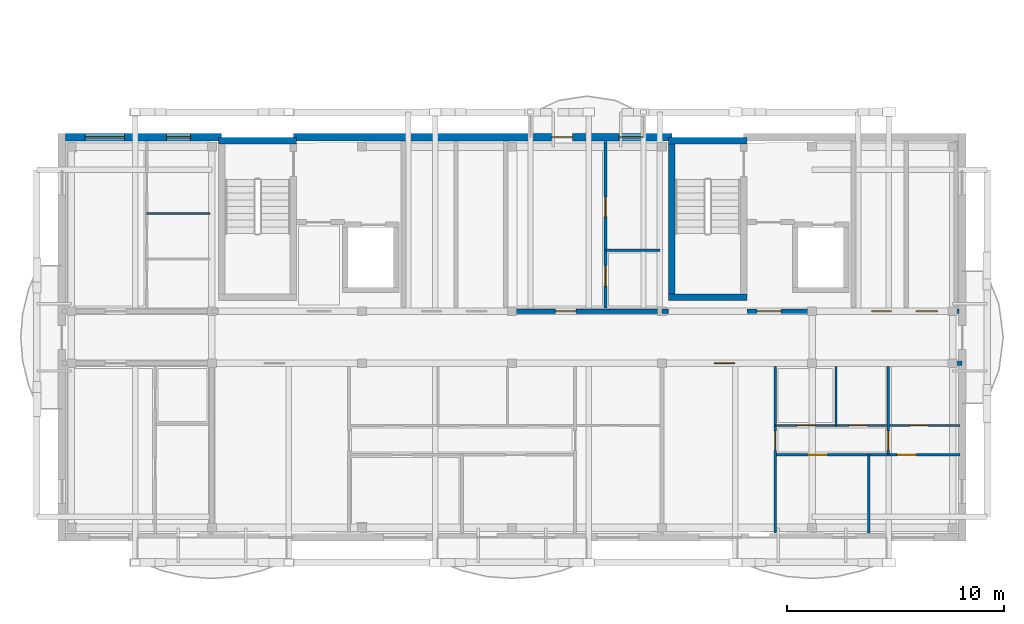
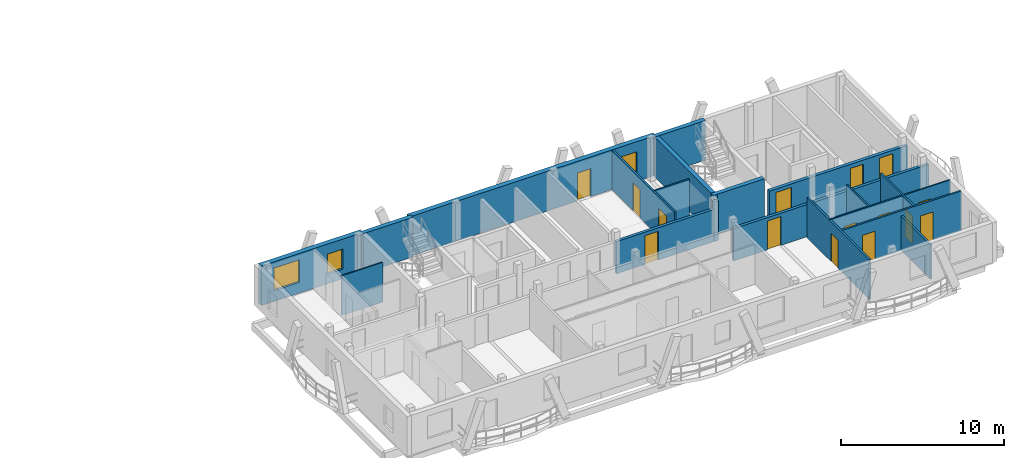
# One storey, part 6 of 10: 19 walls, 15 doors, 3 windows, 18 openings.
"""IFC4 building model written with IfcOpenShell, lengths in metres."""

from ifc_helpers import new_model, si_unit, direction, frame, frame_2d, origin, origin_with_axes, place, context, subcontext, project, spatial, rectangle, extrude, material, layer, layer_set, type_object, element, fill, save


model = new_model("IFC4")

# Units and contexts
model_context = context("Model", 3, precision=1e-05, world=origin(), true_north=direction((0.0, 1.0)))
body_context = subcontext(model_context, "Body", "Model", "MODEL_VIEW")
ifc_project = project(units=[si_unit("LENGTHUNIT", "METRE"), si_unit("AREAUNIT", "SQUARE_METRE"), si_unit("VOLUMEUNIT", "CUBIC_METRE"), si_unit("PLANEANGLEUNIT", "RADIAN"), si_unit("MASSUNIT", "GRAM", prefix="KILO")], contexts=[model_context])

# Site, building, storey
site_placement = place(None, origin())
site = spatial("IfcSite", under=ifc_project, at=site_placement, CompositionType="ELEMENT")
building_placement = place(site_placement, origin())
building = spatial("IfcBuilding", under=site, at=building_placement, Name="Zavelmont Quarter", CompositionType="ELEMENT")
storey_placement = place(building_placement, frame((0.0, 0.0, 43.199951171875)))
storey = spatial("IfcBuildingStorey", under=building, at=storey_placement, Name="L13", CompositionType="ELEMENT", Elevation=43.199951171875)

# Wall, openings, windows
ifc_material_1 = material(Name="Natural Belgian limestone", Category="masonry")
ifc_layer_1 = layer(ifc_material_1, 0.340087890625)
ifc_layer_set_1 = layer_set([ifc_layer_1], Name="Natural Belgian limestone")
wall_type_1 = type_object("IfcWallType", Name="EW03", PredefinedType="STANDARD", material=ifc_layer_set_1)
wall_1_placement = place(storey_placement, frame((0.159912109375, 18.39990234375, 0.0), z_axis=(0.0, 0.0, 1.0), x_axis=(1.0, 0.0, 0.0)))
wall_1 = element("IfcWall", 1, at=wall_1_placement, inside=storey, type_object=wall_type_1, Name="L13 exterior limestone wall EW03", PredefinedType="STANDARD", context=body_context, shape_type="SweptSolid", body=[
    extrude(rectangle(XDim=7.190185546875, YDim=0.340087890625, at=frame_2d((3.59521484375, 0.0))), origin(), (0.0, 0.0, 1.0), 2.969970703125),
])
opening_1_placement = place(wall_1_placement, frame((0.909912109375, 0.0, 0.800048828125)))
opening_1 = element("IfcOpeningElement", 2, at=opening_1_placement, cuts=wall_1, Name="Opening WN02", PredefinedType="OPENING", context=body_context, shape_type="SweptSolid", body=[
    extrude(rectangle(XDim=1.800048828125, YDim=1.699951171875, at=frame_2d((0.89990234375, 0.85009765625))), frame((0.0, 0.18212890625, 0.0), z_axis=(0.0, -1.0, 0.0), x_axis=(1.0, 0.0, 0.0)), (0.0, 0.0, 1.0), 0.364013671875),
])
opening_2_placement = place(wall_1_placement, frame((4.659912109375, 0.0, 0.719970703125)))
opening_2 = element("IfcOpeningElement", 3, at=opening_2_placement, cuts=wall_1, Name="Opening WN09", PredefinedType="OPENING", context=body_context, shape_type="SweptSolid", body=[
    extrude(rectangle(XDim=1.10009765625, YDim=1.5, at=frame_2d((0.550048828125, 0.75))), frame((0.0, 0.18212890625, 0.0), z_axis=(0.0, -1.0, 0.0), x_axis=(1.0, 0.0, 0.0)), (0.0, 0.0, 1.0), 0.364013671875),
])
ifc_material_2 = material(Name="Double low-E insulated glazing in thermally broken aluminium frame", Category="aluminium")
window_type_1 = type_object("IfcWindowType", Name="WN02", PartitioningType="SINGLE_PANEL", PredefinedType="WINDOW", material=ifc_material_2)
window_1_placement = place(opening_1_placement, origin_with_axes())
window_1 = element("IfcWindow", 4, at=window_1_placement, inside=storey, type_object=window_type_1, Name="L13 window WN02", OverallHeight=1.699951171875, OverallWidth=1.800048828125, PartitioningType="SINGLE_PANEL", PredefinedType="WINDOW", context=body_context, shape_type="SweptSolid", body=[
    extrude(rectangle(XDim=1.800048828125, YDim=1.699951171875, at=frame_2d((0.89990234375, 0.85009765625))), frame((0.0, 0.030029296875, 0.0), z_axis=(0.0, -1.0, 0.0), x_axis=(1.0, 0.0, 0.0)), (0.0, 0.0, 1.0), 0.06005859375),
])
fill(opening_1, window_1)
window_type_2 = type_object("IfcWindowType", Name="WN09", PartitioningType="SINGLE_PANEL", PredefinedType="WINDOW", material=ifc_material_2)
window_2_placement = place(opening_2_placement, origin_with_axes())
window_2 = element("IfcWindow", 5, at=window_2_placement, inside=storey, type_object=window_type_2, Name="L13 window WN09", OverallHeight=1.5, OverallWidth=1.10009765625, PartitioningType="SINGLE_PANEL", PredefinedType="WINDOW", context=body_context, shape_type="SweptSolid", body=[
    extrude(rectangle(XDim=1.10009765625, YDim=1.5, at=frame_2d((0.550048828125, 0.75))), frame((0.0, 0.030029296875, 0.0), z_axis=(0.0, -1.0, 0.0), x_axis=(1.0, 0.0, 0.0)), (0.0, 0.0, 1.0), 0.06005859375),
])
fill(opening_2, window_2)

# Wall, openings, door, window
wall_2_placement = place(storey_placement, frame((10.64990234375, 18.39990234375, 0.0), z_axis=(0.0, 0.0, 1.0), x_axis=(1.0, 0.0, 0.0)))
wall_2 = element("IfcWall", 6, at=wall_2_placement, inside=storey, type_object=wall_type_1, Name="L13 exterior limestone wall EW03", PredefinedType="STANDARD", context=body_context, shape_type="SweptSolid", body=[
    extrude(rectangle(XDim=17.400146484375, YDim=0.340087890625, at=frame_2d((8.7001953125, 0.0))), origin(), (0.0, 0.0, 1.0), 2.969970703125),
])
opening_3_placement = place(wall_2_placement, frame((11.8720703125, 0.0, 0.0)))
opening_3 = element("IfcOpeningElement", 7, at=opening_3_placement, cuts=wall_2, Name="Opening DR04", PredefinedType="OPENING", context=body_context, shape_type="SweptSolid", body=[
    extrude(rectangle(XDim=0.949951171875, YDim=2.10009765625, at=frame_2d((0.47509765625, 1.050048828125))), frame((0.0, 0.18212890625, 0.0), z_axis=(0.0, -1.0, 0.0), x_axis=(1.0, 0.0, 0.0)), (0.0, 0.0, 1.0), 0.364013671875),
])
opening_4_placement = place(wall_2_placement, frame((14.969970703125, 0.0, 0.719970703125)))
opening_4 = element("IfcOpeningElement", 8, at=opening_4_placement, cuts=wall_2, Name="Opening WN09", PredefinedType="OPENING", context=body_context, shape_type="SweptSolid", body=[
    extrude(rectangle(XDim=1.10009765625, YDim=1.5, at=frame_2d((0.550048828125, 0.75))), frame((0.0, 0.18212890625, 0.0), z_axis=(0.0, -1.0, 0.0), x_axis=(1.0, 0.0, 0.0)), (0.0, 0.0, 1.0), 0.364013671875),
])
ifc_material_3 = material(Name="Thermally broken aluminium and double safety glass", Category="aluminium")
door_type_1 = type_object("IfcDoorType", Name="DR04", OperationType="NOTDEFINED", PredefinedType="DOOR", material=ifc_material_3)
door_1_placement = place(opening_3_placement, frame((0.949951171875, 0.0, 0.0), z_axis=(0.0, 0.0, 1.0), x_axis=(-1.0, 0.0, 0.0)))
door_1 = element("IfcDoor", 9, at=door_1_placement, inside=storey, type_object=door_type_1, Name="Block A L13 glazed balcony door", OperationType="SINGLE_SWING_LEFT", OverallHeight=2.10009765625, OverallWidth=0.949951171875, PredefinedType="DOOR", context=body_context, shape_type="SweptSolid", body=[
    extrude(rectangle(XDim=0.949951171875, YDim=2.10009765625, at=frame_2d((0.47509765625, 1.050048828125))), frame((0.0, 0.02490234375, 0.0), z_axis=(0.0, -1.0, 0.0), x_axis=(1.0, 0.0, 0.0)), (0.0, 0.0, 1.0), 0.050048828125),
])
fill(opening_3, door_1)
window_3_placement = place(opening_4_placement, origin_with_axes())
window_3 = element("IfcWindow", 10, at=window_3_placement, inside=storey, type_object=window_type_2, Name="L13 window WN09", OverallHeight=1.5, OverallWidth=1.10009765625, PartitioningType="SINGLE_PANEL", PredefinedType="WINDOW", context=body_context, shape_type="SweptSolid", body=[
    extrude(rectangle(XDim=1.10009765625, YDim=1.5, at=frame_2d((0.550048828125, 0.75))), frame((0.0, 0.030029296875, 0.0), z_axis=(0.0, -1.0, 0.0), x_axis=(1.0, 0.0, 0.0)), (0.0, 0.0, 1.0), 0.06005859375),
])
fill(opening_4, window_3)

# Wall, opening, door
ifc_material_4 = material(Name="Calcium-silicate blockwork and acoustic plaster", Category="masonry")
ifc_layer_2 = layer(ifc_material_4, 0.199951171875)
ifc_layer_set_2 = layer_set([ifc_layer_2], Name="Calcium-silicate blockwork and acoustic plaster")
wall_type_2 = type_object("IfcWallType", Name="IW01", PredefinedType="PARTITIONING", material=ifc_layer_set_2)
wall_3_placement = place(storey_placement, frame((27.60009765625, 8.0, 0.0), z_axis=(0.0, 0.0, 1.0), x_axis=(1.0, 0.0, 0.0)))
wall_3 = element("IfcWall", 11, at=wall_3_placement, inside=storey, type_object=wall_type_2, Name="L13 Corridor compartment wall IW01", PredefinedType="PARTITIONING", context=body_context, shape_type="SweptSolid", body=[
    extrude(rectangle(XDim=13.7998046875, YDim=0.199951171875, at=frame_2d((6.89990234375, 0.0))), origin(), (0.0, 0.0, 1.0), 2.41015625),
])
opening_5_placement = place(wall_3_placement, frame((2.39990234375, 0.0, 0.0)))
opening_5 = element("IfcOpeningElement", 12, at=opening_5_placement, cuts=wall_3, Name="Opening DR02", PredefinedType="OPENING", context=body_context, shape_type="SweptSolid", body=[
    extrude(rectangle(XDim=0.949951171875, YDim=2.14990234375, at=frame_2d((0.47509765625, 1.074951171875))), frame((0.0, 0.11181640625, 0.0), z_axis=(0.0, -1.0, 0.0), x_axis=(1.0, 0.0, 0.0)), (0.0, 0.0, 1.0), 0.223876953125),
])
ifc_material_5 = material(Name="Solid-core oak fire leaf in steel frame", Category="steel")
door_type_2 = type_object("IfcDoorType", Name="DR02", OperationType="NOTDEFINED", PredefinedType="DOOR", material=ifc_material_5)
door_2_placement = place(opening_5_placement, frame((0.949951171875, 0.0, 0.0), z_axis=(0.0, 0.0, 1.0), x_axis=(-1.0, 0.0, 0.0)))
door_2 = element("IfcDoor", 13, at=door_2_placement, inside=storey, type_object=door_type_2, Name="L13 door DR02", OperationType="SINGLE_SWING_LEFT", OverallHeight=2.14990234375, OverallWidth=0.949951171875, PredefinedType="DOOR", context=body_context, shape_type="SweptSolid", body=[
    extrude(rectangle(XDim=0.949951171875, YDim=2.14990234375, at=frame_2d((0.47509765625, 1.074951171875))), frame((0.0, 0.02490234375, 0.0), z_axis=(0.0, -1.0, 0.0), x_axis=(1.0, 0.0, 0.0)), (0.0, 0.0, 1.0), 0.050048828125),
])
fill(opening_5, door_2)

wall_4_placement = place(storey_placement, frame((20.699951171875, 10.39990234375, 0.0), z_axis=(0.0, 0.0, 1.0), x_axis=(1.0, 0.0, 0.0)))
wall_4 = element("IfcWall", 14, at=wall_4_placement, inside=storey, type_object=wall_type_2, Name="L13 Corridor compartment wall IW01", PredefinedType="PARTITIONING", context=body_context, shape_type="SweptSolid", body=[
    extrude(rectangle(XDim=6.900146484375, YDim=0.199951171875, at=frame_2d((3.4501953125, 0.0))), origin(), (0.0, 0.0, 1.0), 2.41015625),
])
opening_6_placement = place(wall_4_placement, frame((2.0, 0.0, 0.0)))
opening_6 = element("IfcOpeningElement", 15, at=opening_6_placement, cuts=wall_4, Name="Opening DR02", PredefinedType="OPENING", context=body_context, shape_type="SweptSolid", body=[
    extrude(rectangle(XDim=0.949951171875, YDim=2.14990234375, at=frame_2d((0.47509765625, 1.074951171875))), frame((0.0, 0.11181640625, 0.0), z_axis=(0.0, -1.0, 0.0), x_axis=(1.0, 0.0, 0.0)), (0.0, 0.0, 1.0), 0.223876953125),
])
door_3_placement = place(opening_6_placement, origin_with_axes())
door_3 = element("IfcDoor", 16, at=door_3_placement, inside=storey, type_object=door_type_2, Name="L13 door DR02", OperationType="SINGLE_SWING_LEFT", OverallHeight=2.14990234375, OverallWidth=0.949951171875, PredefinedType="DOOR", context=body_context, shape_type="SweptSolid", body=[
    extrude(rectangle(XDim=0.949951171875, YDim=2.14990234375, at=frame_2d((0.47509765625, 1.074951171875))), frame((0.0, 0.02490234375, 0.0), z_axis=(0.0, -1.0, 0.0), x_axis=(1.0, 0.0, 0.0)), (0.0, 0.0, 1.0), 0.050048828125),
])
fill(opening_6, door_3)

# Wall
ifc_material_6 = material(Name="Reinforced masonry fire compartment wall", Category="masonry")
ifc_layer_3 = layer(ifc_material_6, 0.22509765625)
ifc_layer_set_3 = layer_set([ifc_layer_3], Name="Reinforced masonry fire compartment wall")
wall_type_3 = type_object("IfcWallType", Name="IW02", PredefinedType="PARTITIONING", material=ifc_layer_set_3)
wall_5_placement = place(storey_placement, frame((27.60009765625, 10.39990234375, 0.0), z_axis=(0.0, 0.0, 1.0), x_axis=(1.0, 0.0, 0.0)))
element("IfcWall", 17, at=wall_5_placement, inside=storey, type_object=wall_type_3, Name="L13 Core corridor wall IW02", PredefinedType="PARTITIONING", context=body_context, shape_type="SweptSolid", body=[
    extrude(rectangle(XDim=0.2998046875, YDim=0.22509765625, at=frame_2d((0.14990234375, 0.0))), origin(), (0.0, 0.0, 1.0), 2.969970703125),
])

# Wall, openings, doors
wall_6_placement = place(storey_placement, frame((31.5, 10.39990234375, 0.0), z_axis=(0.0, 0.0, 1.0), x_axis=(1.0, 0.0, 0.0)))
wall_6 = element("IfcWall", 18, at=wall_6_placement, inside=storey, type_object=wall_type_3, Name="L13 Core corridor fire wall IW02", PredefinedType="PARTITIONING", context=body_context, shape_type="SweptSolid", body=[
    extrude(rectangle(XDim=9.75, YDim=0.22509765625, at=frame_2d((4.875, 0.0))), origin(), (0.0, 0.0, 1.0), 2.41015625),
])
opening_7_placement = place(wall_6_placement, frame((0.47509765625, 0.0, 0.0)))
opening_7 = element("IfcOpeningElement", 19, at=opening_7_placement, cuts=wall_6, Name="Opening DR10", PredefinedType="OPENING", context=body_context, shape_type="SweptSolid", body=[
    extrude(rectangle(XDim=1.10009765625, YDim=2.14990234375, at=frame_2d((0.550048828125, 1.074951171875))), frame((0.0, 0.12451171875, 0.0), z_axis=(0.0, -1.0, 0.0), x_axis=(1.0, 0.0, 0.0)), (0.0, 0.0, 1.0), 0.2490234375),
])
opening_8_placement = place(wall_6_placement, frame((5.75, 0.0, 0.0)))
opening_8 = element("IfcOpeningElement", 20, at=opening_8_placement, cuts=wall_6, Name="Opening DR11", PredefinedType="OPENING", context=body_context, shape_type="SweptSolid", body=[
    extrude(rectangle(XDim=0.89990234375, YDim=2.10009765625, at=frame_2d((0.449951171875, 1.050048828125))), frame((0.0, 0.12451171875, 0.0), z_axis=(0.0, -1.0, 0.0), x_axis=(1.0, 0.0, 0.0)), (0.0, 0.0, 1.0), 0.2490234375),
])
opening_9_placement = place(wall_6_placement, frame((7.800048828125, 0.0, 0.0)))
opening_9 = element("IfcOpeningElement", 21, at=opening_9_placement, cuts=wall_6, Name="Opening DR02", PredefinedType="OPENING", context=body_context, shape_type="SweptSolid", body=[
    extrude(rectangle(XDim=0.949951171875, YDim=2.14990234375, at=frame_2d((0.47509765625, 1.074951171875))), frame((0.0, 0.12451171875, 0.0), z_axis=(0.0, -1.0, 0.0), x_axis=(1.0, 0.0, 0.0)), (0.0, 0.0, 1.0), 0.2490234375),
])
door_4_placement = place(opening_9_placement, frame((0.949951171875, 0.0, 0.0), z_axis=(0.0, 0.0, 1.0), x_axis=(-1.0, 0.0, 0.0)))
door_4 = element("IfcDoor", 22, at=door_4_placement, inside=storey, type_object=door_type_2, Name="Auxiliary store corridor door", OperationType="SINGLE_SWING_RIGHT", OverallHeight=2.14990234375, OverallWidth=0.949951171875, PredefinedType="DOOR", context=body_context, shape_type="SweptSolid", body=[
    extrude(rectangle(XDim=0.949951171875, YDim=2.14990234375, at=frame_2d((0.47509765625, 1.074951171875))), frame((0.0, 0.02490234375, 0.0), z_axis=(0.0, -1.0, 0.0), x_axis=(1.0, 0.0, 0.0)), (0.0, 0.0, 1.0), 0.050048828125),
])
fill(opening_9, door_4)
ifc_material_7 = material(Name="Painted steel lobby fire door", Category="steel")
door_type_3 = type_object("IfcDoorType", Name="DR10", OperationType="NOTDEFINED", PredefinedType="DOOR", material=ifc_material_7)
door_5_placement = place(opening_7_placement, origin_with_axes())
door_5 = element("IfcDoor", 23, at=door_5_placement, inside=storey, type_object=door_type_3, Name="Core vestibule fire door", OperationType="SINGLE_SWING_LEFT", OverallHeight=2.14990234375, OverallWidth=1.10009765625, PredefinedType="DOOR", context=body_context, shape_type="SweptSolid", body=[
    extrude(rectangle(XDim=1.10009765625, YDim=2.14990234375, at=frame_2d((0.550048828125, 1.074951171875))), frame((0.0, 0.02490234375, 0.0), z_axis=(0.0, -1.0, 0.0), x_axis=(1.0, 0.0, 0.0)), (0.0, 0.0, 1.0), 0.050048828125),
])
fill(opening_7, door_5)
ifc_material_8 = material(Name="Painted steel service-riser fire door", Category="steel")
door_type_4 = type_object("IfcDoorType", Name="DR11", OperationType="NOTDEFINED", PredefinedType="DOOR", material=ifc_material_8)
door_6_placement = place(opening_8_placement, frame((0.89990234375, 0.0, 0.0), z_axis=(0.0, 0.0, 1.0), x_axis=(-1.0, 0.0, 0.0)))
door_6 = element("IfcDoor", 24, at=door_6_placement, inside=storey, type_object=door_type_4, Name="Service riser fire door", OperationType="SINGLE_SWING_LEFT", OverallHeight=2.10009765625, OverallWidth=0.89990234375, PredefinedType="DOOR", context=body_context, shape_type="SweptSolid", body=[
    extrude(rectangle(XDim=0.89990234375, YDim=2.10009765625, at=frame_2d((0.449951171875, 1.050048828125))), frame((0.0, 0.02490234375, 0.0), z_axis=(0.0, -1.0, 0.0), x_axis=(1.0, 0.0, 0.0)), (0.0, 0.0, 1.0), 0.050048828125),
])
fill(opening_8, door_6)

# Wall, opening, door
ifc_material_9 = material(Name="Double gypsum board on acoustic steel stud", Category="steel")
ifc_layer_4 = layer(ifc_material_9, 0.125)
ifc_layer_set_4 = layer_set([ifc_layer_4], Name="Double gypsum board on acoustic steel stud")
wall_type_4 = type_object("IfcWallType", Name="IW03", PredefinedType="PARTITIONING", material=ifc_layer_set_4)
wall_7_placement = place(storey_placement, frame((32.800048828125, 7.85009765625, 0.0), z_axis=(0.0, 0.0, 1.0), x_axis=(0.0, -1.0, 0.0)))
wall_7 = element("IfcWall", 25, at=wall_7_placement, inside=storey, type_object=wall_type_4, Name="L13 Partition IW03", PredefinedType="PARTITIONING", context=body_context, shape_type="SweptSolid", body=[
    extrude(rectangle(XDim=7.650146484375, YDim=0.125, at=frame_2d((3.8251953125, 0.0))), origin(), (0.0, 0.0, 1.0), 2.969970703125),
])
opening_10_placement = place(wall_7_placement, frame((2.949951171875, 0.0, 0.0)))
opening_10 = element("IfcOpeningElement", 26, at=opening_10_placement, cuts=wall_7, Name="Opening DR05", PredefinedType="OPENING", context=body_context, shape_type="SweptSolid", body=[
    extrude(rectangle(XDim=0.89990234375, YDim=2.10009765625, at=frame_2d((0.449951171875, 1.050048828125))), frame((0.0, 0.074462890625, 0.0), z_axis=(0.0, -1.0, 0.0), x_axis=(1.0, 0.0, 0.0)), (0.0, 0.0, 1.0), 0.14892578125),
])
ifc_material_10 = material(Name="Engineered oak flush interior door")
door_type_5 = type_object("IfcDoorType", Name="DR05", OperationType="NOTDEFINED", PredefinedType="DOOR", material=ifc_material_10)
door_7_placement = place(opening_10_placement, origin_with_axes())
door_7 = element("IfcDoor", 27, at=door_7_placement, inside=storey, type_object=door_type_5, Name="L13 door DR05", OperationType="SINGLE_SWING_LEFT", OverallHeight=2.10009765625, OverallWidth=0.89990234375, PredefinedType="DOOR", context=body_context, shape_type="SweptSolid", body=[
    extrude(rectangle(XDim=0.89990234375, YDim=2.10009765625, at=frame_2d((0.449951171875, 1.050048828125))), frame((0.0, 0.02490234375, 0.0), z_axis=(0.0, -1.0, 0.0), x_axis=(1.0, 0.0, 0.0)), (0.0, 0.0, 1.0), 0.050048828125),
])
fill(opening_10, door_7)

wall_8_placement = place(storey_placement, frame((38.0, 7.85009765625, 0.0), z_axis=(0.0, 0.0, 1.0), x_axis=(0.0, -1.0, 0.0)))
wall_8 = element("IfcWall", 28, at=wall_8_placement, inside=storey, type_object=wall_type_4, Name="L13 Partition IW03", PredefinedType="PARTITIONING", context=body_context, shape_type="SweptSolid", body=[
    extrude(rectangle(XDim=4.050048828125, YDim=0.125, at=frame_2d((2.02490234375, 0.0))), origin(), (0.0, 0.0, 1.0), 2.969970703125),
])
opening_11_placement = place(wall_8_placement, frame((2.949951171875, 0.0, 0.0)))
opening_11 = element("IfcOpeningElement", 29, at=opening_11_placement, cuts=wall_8, Name="Opening DR05", PredefinedType="OPENING", context=body_context, shape_type="SweptSolid", body=[
    extrude(rectangle(XDim=0.89990234375, YDim=2.10009765625, at=frame_2d((0.449951171875, 1.050048828125))), frame((0.0, 0.074462890625, 0.0), z_axis=(0.0, -1.0, 0.0), x_axis=(1.0, 0.0, 0.0)), (0.0, 0.0, 1.0), 0.14892578125),
])
door_8_placement = place(opening_11_placement, frame((0.89990234375, 0.0, 0.0), z_axis=(0.0, 0.0, 1.0), x_axis=(-1.0, 0.0, 0.0)))
door_8 = element("IfcDoor", 30, at=door_8_placement, inside=storey, type_object=door_type_5, Name="L13 door DR05", OperationType="SINGLE_SWING_RIGHT", OverallHeight=2.10009765625, OverallWidth=0.89990234375, PredefinedType="DOOR", context=body_context, shape_type="SweptSolid", body=[
    extrude(rectangle(XDim=0.89990234375, YDim=2.10009765625, at=frame_2d((0.449951171875, 1.050048828125))), frame((0.0, 0.02490234375, 0.0), z_axis=(0.0, -1.0, 0.0), x_axis=(1.0, 0.0, 0.0)), (0.0, 0.0, 1.0), 0.050048828125),
])
fill(opening_11, door_8)

# Wall
wall_9_placement = place(storey_placement, frame((37.10009765625, 3.800048828125, 0.0), z_axis=(0.0, 0.0, 1.0), x_axis=(0.0, -1.0, 0.0)))
element("IfcWall", 31, at=wall_9_placement, inside=storey, type_object=wall_type_4, Name="L13 Partition IW03", PredefinedType="PARTITIONING", context=body_context, shape_type="SweptSolid", body=[
    extrude(rectangle(XDim=3.60009765625, YDim=0.125, at=frame_2d((1.800048828125, 0.0))), origin(), (0.0, 0.0, 1.0), 2.590087890625),
])

# Wall, openings, doors
wall_10_placement = place(storey_placement, frame((32.800048828125, 3.800048828125, 0.0), z_axis=(0.0, 0.0, 1.0), x_axis=(1.0, 0.0, 0.0)))
wall_10 = element("IfcWall", 32, at=wall_10_placement, inside=storey, type_object=wall_type_4, Name="L13 Partition IW03", PredefinedType="PARTITIONING", context=body_context, shape_type="SweptSolid", body=[
    extrude(rectangle(XDim=8.5, YDim=0.125, at=frame_2d((4.25, 0.0))), origin(), (0.0, 0.0, 1.0), 2.969970703125),
])
opening_12_placement = place(wall_10_placement, frame((1.5, 0.0, 0.0)))
opening_12 = element("IfcOpeningElement", 33, at=opening_12_placement, cuts=wall_10, Name="Opening DR05", PredefinedType="OPENING", context=body_context, shape_type="SweptSolid", body=[
    extrude(rectangle(XDim=0.89990234375, YDim=2.10009765625, at=frame_2d((0.449951171875, 1.050048828125))), frame((0.0, 0.074462890625, 0.0), z_axis=(0.0, -1.0, 0.0), x_axis=(1.0, 0.0, 0.0)), (0.0, 0.0, 1.0), 0.14892578125),
])
opening_13_placement = place(wall_10_placement, frame((5.60009765625, 0.0, 0.0)))
opening_13 = element("IfcOpeningElement", 34, at=opening_13_placement, cuts=wall_10, Name="Opening DR05", PredefinedType="OPENING", context=body_context, shape_type="SweptSolid", body=[
    extrude(rectangle(XDim=0.89990234375, YDim=2.10009765625, at=frame_2d((0.449951171875, 1.050048828125))), frame((0.0, 0.074462890625, 0.0), z_axis=(0.0, -1.0, 0.0), x_axis=(1.0, 0.0, 0.0)), (0.0, 0.0, 1.0), 0.14892578125),
])
door_9_placement = place(opening_12_placement, frame((0.89990234375, 0.0, 0.0), z_axis=(0.0, 0.0, 1.0), x_axis=(-1.0, 0.0, 0.0)))
door_9 = element("IfcDoor", 35, at=door_9_placement, inside=storey, type_object=door_type_5, Name="L13 door DR05", OperationType="SINGLE_SWING_RIGHT", OverallHeight=2.10009765625, OverallWidth=0.89990234375, PredefinedType="DOOR", context=body_context, shape_type="SweptSolid", body=[
    extrude(rectangle(XDim=0.89990234375, YDim=2.10009765625, at=frame_2d((0.449951171875, 1.050048828125))), frame((0.0, 0.02490234375, 0.0), z_axis=(0.0, -1.0, 0.0), x_axis=(1.0, 0.0, 0.0)), (0.0, 0.0, 1.0), 0.050048828125),
])
fill(opening_12, door_9)
door_10_placement = place(opening_13_placement, origin_with_axes())
door_10 = element("IfcDoor", 36, at=door_10_placement, inside=storey, type_object=door_type_5, Name="L13 door DR05", OperationType="SINGLE_SWING_LEFT", OverallHeight=2.10009765625, OverallWidth=0.89990234375, PredefinedType="DOOR", context=body_context, shape_type="SweptSolid", body=[
    extrude(rectangle(XDim=0.89990234375, YDim=2.10009765625, at=frame_2d((0.449951171875, 1.050048828125))), frame((0.0, 0.02490234375, 0.0), z_axis=(0.0, -1.0, 0.0), x_axis=(1.0, 0.0, 0.0)), (0.0, 0.0, 1.0), 0.050048828125),
])
fill(opening_13, door_10)

wall_11_placement = place(storey_placement, frame((25.0, 10.550048828125, 0.0), z_axis=(0.0, 0.0, 1.0), x_axis=(0.0, 1.0, 0.0)))
wall_11 = element("IfcWall", 37, at=wall_11_placement, inside=storey, type_object=wall_type_4, Name="L13 Partition IW03", PredefinedType="PARTITIONING", context=body_context, shape_type="SweptSolid", body=[
    extrude(rectangle(XDim=7.64990234375, YDim=0.125, at=frame_2d((3.824951171875, 0.0))), origin(), (0.0, 0.0, 1.0), 2.969970703125),
])
opening_14_placement = place(wall_11_placement, frame((1.0, 0.0, 0.0)))
opening_14 = element("IfcOpeningElement", 38, at=opening_14_placement, cuts=wall_11, Name="Opening DR17", PredefinedType="OPENING", context=body_context, shape_type="SweptSolid", body=[
    extrude(rectangle(XDim=0.949951171875, YDim=2.10009765625, at=frame_2d((0.47509765625, 1.050048828125))), frame((0.0, 0.074462890625, 0.0), z_axis=(0.0, -1.0, 0.0), x_axis=(1.0, 0.0, 0.0)), (0.0, 0.0, 1.0), 0.14892578125),
])
opening_15_placement = place(wall_11_placement, frame((4.199951171875, 0.0, 0.0)))
opening_15 = element("IfcOpeningElement", 39, at=opening_15_placement, cuts=wall_11, Name="Opening DR05", PredefinedType="OPENING", context=body_context, shape_type="SweptSolid", body=[
    extrude(rectangle(XDim=0.89990234375, YDim=2.10009765625, at=frame_2d((0.449951171875, 1.050048828125))), frame((0.0, 0.074462890625, 0.0), z_axis=(0.0, -1.0, 0.0), x_axis=(1.0, 0.0, 0.0)), (0.0, 0.0, 1.0), 0.14892578125),
])
door_11_placement = place(opening_15_placement, frame((0.89990234375, 0.0, 0.0), z_axis=(0.0, 0.0, 1.0), x_axis=(-1.0, 0.0, 0.0)))
door_11 = element("IfcDoor", 40, at=door_11_placement, inside=storey, type_object=door_type_5, Name="L13 door DR05", OperationType="SINGLE_SWING_RIGHT", OverallHeight=2.10009765625, OverallWidth=0.89990234375, PredefinedType="DOOR", context=body_context, shape_type="SweptSolid", body=[
    extrude(rectangle(XDim=0.89990234375, YDim=2.10009765625, at=frame_2d((0.449951171875, 1.050048828125))), frame((0.0, 0.02490234375, 0.0), z_axis=(0.0, -1.0, 0.0), x_axis=(1.0, 0.0, 0.0)), (0.0, 0.0, 1.0), 0.050048828125),
])
fill(opening_15, door_11)
ifc_material_11 = material(Name="Accessible washroom flush door")
door_type_6 = type_object("IfcDoorType", Name="DR17", OperationType="NOTDEFINED", PredefinedType="DOOR", material=ifc_material_11)
door_12_placement = place(opening_14_placement, origin_with_axes())
door_12 = element("IfcDoor", 41, at=door_12_placement, inside=storey, type_object=door_type_6, Name="L13 door DR17", OperationType="SINGLE_SWING_LEFT", OverallHeight=2.10009765625, OverallWidth=0.949951171875, PredefinedType="DOOR", context=body_context, shape_type="SweptSolid", body=[
    extrude(rectangle(XDim=0.949951171875, YDim=2.10009765625, at=frame_2d((0.47509765625, 1.050048828125))), frame((0.0, 0.02490234375, 0.0), z_axis=(0.0, -1.0, 0.0), x_axis=(1.0, 0.0, 0.0)), (0.0, 0.0, 1.0), 0.050048828125),
])
fill(opening_14, door_12)

# Wall
ifc_material_12 = material(Name="Moisture-resistant gypsum board on steel stud", Category="steel")
ifc_layer_5 = layer(ifc_material_12, 0.10009765625)
ifc_layer_set_5 = layer_set([ifc_layer_5], Name="Moisture-resistant gypsum board on steel stud")
wall_type_5 = type_object("IfcWallType", Name="IW04", PredefinedType="PARTITIONING", material=ifc_layer_set_5)
wall_12_placement = place(storey_placement, frame((35.60009765625, 7.85009765625, 0.0), z_axis=(0.0, 0.0, 1.0), x_axis=(0.0, -1.0, 0.0)))
element("IfcWall", 42, at=wall_12_placement, inside=storey, type_object=wall_type_5, Name="L13 Partition IW04", PredefinedType="PARTITIONING", context=body_context, shape_type="SweptSolid", body=[
    extrude(rectangle(XDim=2.7001953125, YDim=0.10009765625, at=frame_2d((1.35009765625, 0.0))), origin(), (0.0, 0.0, 1.0), 2.969970703125),
])

# Wall, openings, doors
wall_13_placement = place(storey_placement, frame((32.800048828125, 5.14990234375, 0.0), z_axis=(0.0, 0.0, 1.0), x_axis=(1.0, 0.0, 0.0)))
wall_13 = element("IfcWall", 43, at=wall_13_placement, inside=storey, type_object=wall_type_5, Name="L13 Partition IW04", PredefinedType="PARTITIONING", context=body_context, shape_type="SweptSolid", body=[
    extrude(rectangle(XDim=8.5, YDim=0.10009765625, at=frame_2d((4.25, 0.0))), origin(), (0.0, 0.0, 1.0), 2.969970703125),
])
opening_16_placement = place(wall_13_placement, frame((1.0, 0.0, 0.0)))
opening_16 = element("IfcOpeningElement", 44, at=opening_16_placement, cuts=wall_13, Name="Opening DR16", PredefinedType="OPENING", context=body_context, shape_type="SweptSolid", body=[
    extrude(rectangle(XDim=0.85009765625, YDim=2.10009765625, at=frame_2d((0.425048828125, 1.050048828125))), frame((0.0, 0.06201171875, 0.0), z_axis=(0.0, -1.0, 0.0), x_axis=(1.0, 0.0, 0.0)), (0.0, 0.0, 1.0), 0.1240234375),
])
opening_17_placement = place(wall_13_placement, frame((3.39990234375, 0.0, 0.0)))
opening_17 = element("IfcOpeningElement", 45, at=opening_17_placement, cuts=wall_13, Name="Opening DR06", PredefinedType="OPENING", context=body_context, shape_type="SweptSolid", body=[
    extrude(rectangle(XDim=0.85009765625, YDim=2.050048828125, at=frame_2d((0.425048828125, 1.02490234375))), frame((0.0, 0.06201171875, 0.0), z_axis=(0.0, -1.0, 0.0), x_axis=(1.0, 0.0, 0.0)), (0.0, 0.0, 1.0), 0.1240234375),
])
opening_18_placement = place(wall_13_placement, frame((6.199951171875, 0.0, 0.0)))
opening_18 = element("IfcOpeningElement", 46, at=opening_18_placement, cuts=wall_13, Name="Opening DR06", PredefinedType="OPENING", context=body_context, shape_type="SweptSolid", body=[
    extrude(rectangle(XDim=0.85009765625, YDim=2.050048828125, at=frame_2d((0.425048828125, 1.02490234375))), frame((0.0, 0.06201171875, 0.0), z_axis=(0.0, -1.0, 0.0), x_axis=(1.0, 0.0, 0.0)), (0.0, 0.0, 1.0), 0.1240234375),
])
ifc_material_13 = material(Name="Moisture-resistant painted wet-room door")
door_type_7 = type_object("IfcDoorType", Name="DR06", OperationType="NOTDEFINED", PredefinedType="DOOR", material=ifc_material_13)
door_13_placement = place(opening_17_placement, frame((0.85009765625, 0.0, 0.0), z_axis=(0.0, 0.0, 1.0), x_axis=(-1.0, 0.0, 0.0)))
door_13 = element("IfcDoor", 47, at=door_13_placement, inside=storey, type_object=door_type_7, Name="L13 door DR06", OperationType="SINGLE_SWING_RIGHT", OverallHeight=2.050048828125, OverallWidth=0.85009765625, PredefinedType="DOOR", context=body_context, shape_type="SweptSolid", body=[
    extrude(rectangle(XDim=0.85009765625, YDim=2.050048828125, at=frame_2d((0.425048828125, 1.02490234375))), frame((0.0, 0.02490234375, 0.0), z_axis=(0.0, -1.0, 0.0), x_axis=(1.0, 0.0, 0.0)), (0.0, 0.0, 1.0), 0.050048828125),
])
fill(opening_17, door_13)
door_14_placement = place(opening_18_placement, origin_with_axes())
door_14 = element("IfcDoor", 48, at=door_14_placement, inside=storey, type_object=door_type_7, Name="L13 door DR06", OperationType="SINGLE_SWING_LEFT", OverallHeight=2.050048828125, OverallWidth=0.85009765625, PredefinedType="DOOR", context=body_context, shape_type="SweptSolid", body=[
    extrude(rectangle(XDim=0.85009765625, YDim=2.050048828125, at=frame_2d((0.425048828125, 1.02490234375))), frame((0.0, 0.02490234375, 0.0), z_axis=(0.0, -1.0, 0.0), x_axis=(1.0, 0.0, 0.0)), (0.0, 0.0, 1.0), 0.050048828125),
])
fill(opening_18, door_14)
door_type_8 = type_object("IfcDoorType", Name="DR16", OperationType="NOTDEFINED", PredefinedType="DOOR", material=ifc_material_10)
door_15_placement = place(opening_16_placement, origin_with_axes())
door_15 = element("IfcDoor", 49, at=door_15_placement, inside=storey, type_object=door_type_8, Name="L13 door DR16", OperationType="SINGLE_SWING_LEFT", OverallHeight=2.10009765625, OverallWidth=0.85009765625, PredefinedType="DOOR", context=body_context, shape_type="SweptSolid", body=[
    extrude(rectangle(XDim=0.85009765625, YDim=2.10009765625, at=frame_2d((0.425048828125, 1.050048828125))), frame((0.0, 0.02490234375, 0.0), z_axis=(0.0, -1.0, 0.0), x_axis=(1.0, 0.0, 0.0)), (0.0, 0.0, 1.0), 0.050048828125),
])
fill(opening_16, door_15)

# Walls
wall_14_placement = place(storey_placement, frame((3.89990234375, 14.89990234375, 0.0), z_axis=(0.0, 0.0, 1.0), x_axis=(1.0, 0.0, 0.0)))
element("IfcWall", 50, at=wall_14_placement, inside=storey, type_object=wall_type_5, Name="L13 Partition IW04", PredefinedType="PARTITIONING", context=body_context, shape_type="SweptSolid", body=[
    extrude(rectangle(XDim=2.900146484375, YDim=0.10009765625, at=frame_2d((1.4501953125, 0.0))), origin(), (0.0, 0.0, 1.0), 2.969970703125),
])
wall_15_placement = place(storey_placement, frame((25.0, 13.199951171875, 0.0), z_axis=(0.0, 0.0, 1.0), x_axis=(1.0, 0.0, 0.0)))
element("IfcWall", 51, at=wall_15_placement, inside=storey, type_object=wall_type_5, Name="L13 Partition IW04", PredefinedType="PARTITIONING", context=body_context, shape_type="SweptSolid", body=[
    extrude(rectangle(XDim=2.5, YDim=0.10009765625, at=frame_2d((1.25, 0.0))), origin(), (0.0, 0.0, 1.0), 2.969970703125),
])
ifc_material_14 = material(Name="Concrete C40/50", Category="concrete")
ifc_layer_6 = layer(ifc_material_14, 0.300048828125)
ifc_layer_set_6 = layer_set([ifc_layer_6], Name="Concrete C40/50")
wall_type_6 = type_object("IfcWallType", Name="SW01", PredefinedType="SHEAR", material=ifc_layer_set_6)
wall_16_placement = place(storey_placement, frame((27.89990234375, 11.050048828125, 0.0), z_axis=(0.0, 0.0, 1.0), x_axis=(1.0, 0.0, 0.0)))
element("IfcWall", 52, at=wall_16_placement, inside=storey, type_object=wall_type_6, Name="L13 ST02 corridor shear wall SW01", PredefinedType="SHEAR", context=body_context, shape_type="SweptSolid", body=[
    extrude(rectangle(XDim=3.60009765625, YDim=0.300048828125, at=frame_2d((1.800048828125, 0.0))), origin(), (0.0, 0.0, 1.0), 2.969970703125),
])
wall_17_placement = place(storey_placement, frame((28.050048828125, 10.89990234375, 0.0), z_axis=(0.0, 0.0, 1.0), x_axis=(0.0, 1.0, 0.0)))
element("IfcWall", 53, at=wall_17_placement, inside=storey, type_object=wall_type_6, Name="L13 ST02 west shear wall SW01", PredefinedType="SHEAR", context=body_context, shape_type="SweptSolid", body=[
    extrude(rectangle(XDim=7.5, YDim=0.300048828125, at=frame_2d((3.75, 0.0))), origin(), (0.0, 0.0, 1.0), 2.969970703125),
])
ifc_layer_7 = layer(ifc_material_14, 0.300048828125)
ifc_layer_set_7 = layer_set([ifc_layer_7], Name="Concrete C40/50")
wall_type_7 = type_object("IfcWallType", Name="SW03", PredefinedType="SHEAR", material=ifc_layer_set_7)
for number, where, z_axis, x_axis, name in (
    (54, (7.199951171875, 18.25, 0.0), (0.0, 0.0, 1.0), (1.0, 0.0, 0.0), "L13 ST01 outer shear wall SW03"),
    (55, (27.89990234375, 18.25, 0.0), (0.0, 0.0, 1.0), (1.0, 0.0, 0.0), "L13 ST02 outer shear wall SW03"),
):
    element("IfcWall", number, at=place(storey_placement, frame(where, z_axis=z_axis, x_axis=x_axis)), inside=storey, type_object=wall_type_7, Name=name, PredefinedType="SHEAR", context=body_context, shape_type="SweptSolid", body=[
        extrude(rectangle(XDim=3.60009765625, YDim=0.300048828125, at=frame_2d((1.800048828125, 0.0))), origin(), (0.0, 0.0, 1.0), 2.969970703125),
    ])

save(model, "model.ifc")
